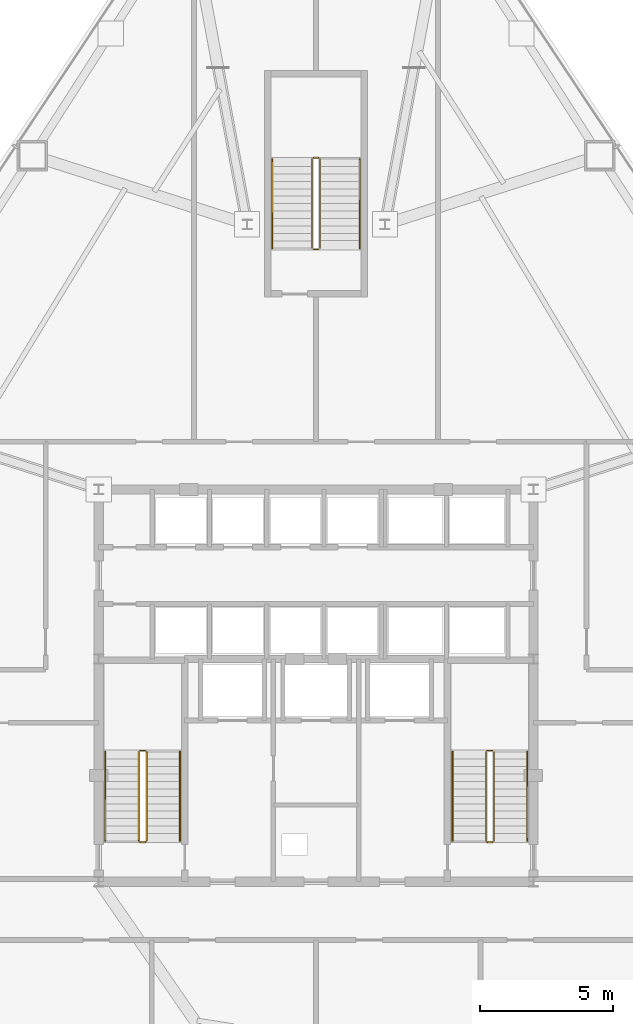
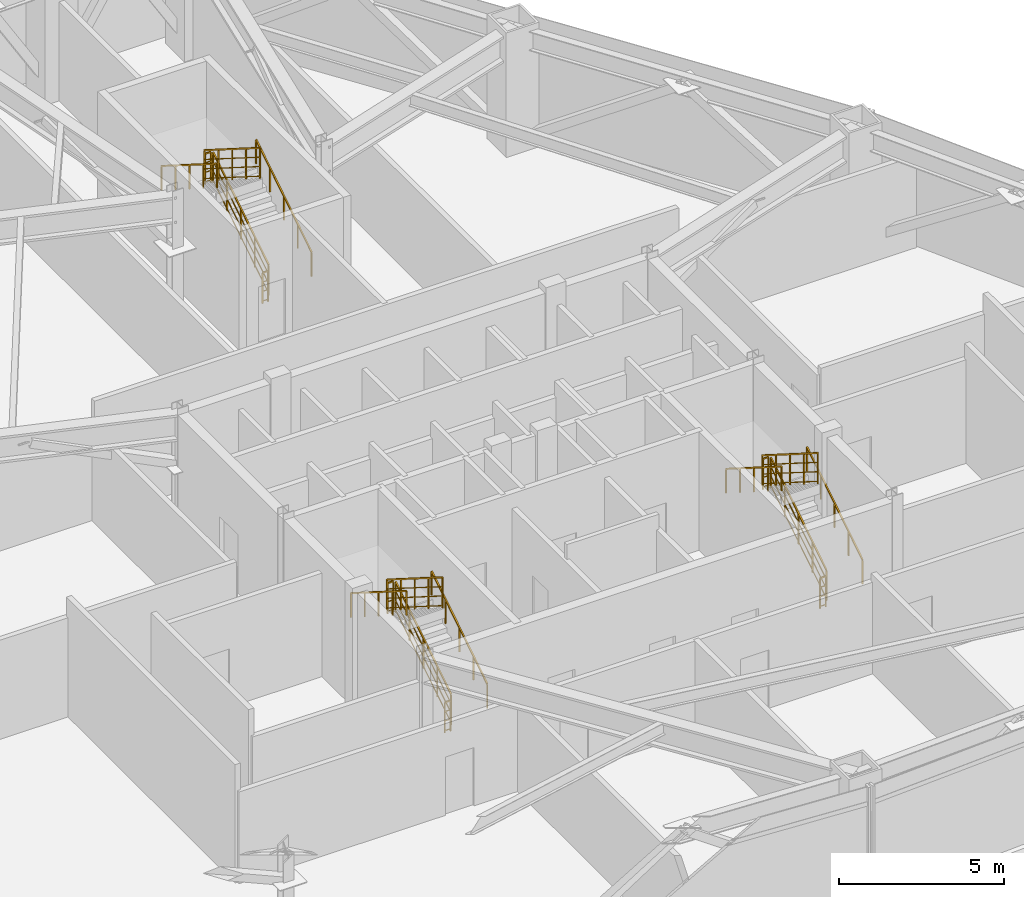
# One storey, part 12 of 12: 18 railings.
"""IFC4 building model written with IfcOpenShell, lengths in metres."""

from ifc_helpers import new_model, si_unit, direction, frame, origin, origin_2d, place, context, subcontext, project, spatial, rectangle, extrude, material, type_object, element, save


model = new_model("IFC4")

# Units and contexts
model_context = context("Model", 3, precision=1e-05, world=origin(), true_north=direction((0.0, 1.0)))
body_context = subcontext(model_context, "Body", "Model", "MODEL_VIEW")
ifc_project = project(units=[si_unit("LENGTHUNIT", "METRE"), si_unit("AREAUNIT", "SQUARE_METRE"), si_unit("VOLUMEUNIT", "CUBIC_METRE"), si_unit("PLANEANGLEUNIT", "RADIAN"), si_unit("MASSUNIT", "GRAM", prefix="KILO")], contexts=[model_context])

# Site, building, storey
site_placement = place(None, origin())
site = spatial("IfcSite", under=ifc_project, at=site_placement, CompositionType="ELEMENT")
building_placement = place(site_placement, origin())
building = spatial("IfcBuilding", under=site, at=building_placement, Name="Varakhsha Concourse Tower", CompositionType="ELEMENT")
storey_placement = place(building_placement, frame((0.0, 0.0, 68.800048828125)))
storey = spatial("IfcBuildingStorey", under=building, at=storey_placement, Name="L19", CompositionType="ELEMENT", Elevation=68.800048828125)

# Railings
ifc_material = material(Name="Brushed Austenitic Stainless Steel AISI 316", Category="steel")
railing_type_1 = type_object("IfcRailingType", Name="RL-STAIR-GUARD-1100", PredefinedType="GUARDRAIL", material=ifc_material)
railing_1_placement = place(storey_placement, frame((33.610107421875, 17.93994140625, 0.1767578125)))
element("IfcRailing", 1, at=railing_1_placement, inside=storey, type_object=railing_type_1, Name="L19 ST1 stair guard 1", PredefinedType="GUARDRAIL", context=body_context, shape_type="SweptSolid", body=[
    extrude(rectangle(XDim=0.048095703125, YDim=0.048095703125, at=origin_2d()), frame((0.0, 0.0, 1.1259765625), z_axis=(0.0, 0.845361898145, 0.534194029511), x_axis=(-1.0, 0.0, 0.0)), (0.0, 0.0, 1.0), 3.974853515625),
    extrude(rectangle(XDim=0.028076171875, YDim=0.028076171875, at=origin_2d()), frame((0.0, 0.0, 0.080078125), z_axis=(0.0, 0.845361898145, 0.534194029511), x_axis=(-1.0, 0.0, 0.0)), (0.0, 0.0, 1.0), 3.974853515625),
    extrude(rectangle(XDim=0.028076171875, YDim=0.028076171875, at=origin_2d()), frame((0.0, 0.0, 0.43701171875), z_axis=(0.0, 0.845361898145, 0.534194029511), x_axis=(-1.0, 0.0, 0.0)), (0.0, 0.0, 1.0), 3.974853515625),
    extrude(rectangle(XDim=0.028076171875, YDim=0.028076171875, at=origin_2d()), frame((0.0, 0.0, 0.781982421875), z_axis=(0.0, 0.845361898145, 0.534194029511), x_axis=(-1.0, 0.0, 0.0)), (0.0, 0.0, 1.0), 3.974853515625),
    extrude(rectangle(XDim=0.0419921875, YDim=0.0419921875, at=origin_2d()), origin(), (0.0, 0.0, 1.0), 1.101806640625),
    extrude(rectangle(XDim=0.0419921875, YDim=0.0419921875, at=origin_2d()), frame((0.0, 0.840087890625, 0.53076171875)), (0.0, 0.0, 1.0), 1.101806640625),
    extrude(rectangle(XDim=0.0419921875, YDim=0.0419921875, at=origin_2d()), frame((0.0, 1.68017578125, 1.0615234375)), (0.0, 0.0, 1.0), 1.101806640625),
    extrude(rectangle(XDim=0.0419921875, YDim=0.0419921875, at=origin_2d()), frame((0.0, 2.52001953125, 1.592529296875)), (0.0, 0.0, 1.0), 1.101806640625),
    extrude(rectangle(XDim=0.0419921875, YDim=0.0419921875, at=origin_2d()), frame((0.0, 3.360107421875, 2.123291015625)), (0.0, 0.0, 1.0), 1.101806640625),
])
railing_2_placement = place(storey_placement, frame((33.56005859375, 21.35009765625, 2.300048828125)))
element("IfcRailing", 2, at=railing_2_placement, inside=storey, type_object=railing_type_1, Name="L19 ST1 stair guard 2", PredefinedType="GUARDRAIL", context=body_context, shape_type="SweptSolid", body=[
    extrude(rectangle(XDim=0.048095703125, YDim=0.048095703125, at=origin_2d()), frame((0.0, 0.0, 1.1259765625), z_axis=(-1.0, 0.0, 0.0), x_axis=(0.0, -1.0, 0.0)), (0.0, 0.0, 1.0), 0.199951171875),
    extrude(rectangle(XDim=0.028076171875, YDim=0.028076171875, at=origin_2d()), frame((0.0, 0.0, 0.080078125), z_axis=(-1.0, 0.0, 0.0), x_axis=(0.0, -1.0, 0.0)), (0.0, 0.0, 1.0), 0.199951171875),
    extrude(rectangle(XDim=0.028076171875, YDim=0.028076171875, at=origin_2d()), frame((0.0, 0.0, 0.43701171875), z_axis=(-1.0, 0.0, 0.0), x_axis=(0.0, -1.0, 0.0)), (0.0, 0.0, 1.0), 0.199951171875),
    extrude(rectangle(XDim=0.028076171875, YDim=0.028076171875, at=origin_2d()), frame((0.0, 0.0, 0.781982421875), z_axis=(-1.0, 0.0, 0.0), x_axis=(0.0, -1.0, 0.0)), (0.0, 0.0, 1.0), 0.199951171875),
    extrude(rectangle(XDim=0.0419921875, YDim=0.0419921875, at=origin_2d()), origin(), (0.0, 0.0, 1.0), 1.101806640625),
    extrude(rectangle(XDim=0.0419921875, YDim=0.0419921875, at=origin_2d()), frame((-0.199951171875, 0.0, 0.0)), (0.0, 0.0, 1.0), 1.101806640625),
])
railing_3_placement = place(storey_placement, frame((33.31005859375, 21.300048828125, 2.476806640625)))
element("IfcRailing", 3, at=railing_3_placement, inside=storey, type_object=railing_type_1, Name="L19 ST1 stair guard 3", PredefinedType="GUARDRAIL", context=body_context, shape_type="SweptSolid", body=[
    extrude(rectangle(XDim=0.048095703125, YDim=0.048095703125, at=origin_2d()), frame((0.0, 0.0, 1.1259765625), z_axis=(0.0, -0.845389635667, 0.534150132366), x_axis=(1.0, 0.0, 0.0)), (0.0, 0.0, 1.0), 3.974609375),
    extrude(rectangle(XDim=0.028076171875, YDim=0.028076171875, at=origin_2d()), frame((0.0, 0.0, 0.080078125), z_axis=(0.0, -0.845389635667, 0.534150132366), x_axis=(1.0, 0.0, 0.0)), (0.0, 0.0, 1.0), 3.974609375),
    extrude(rectangle(XDim=0.028076171875, YDim=0.028076171875, at=origin_2d()), frame((0.0, 0.0, 0.43701171875), z_axis=(0.0, -0.845389635667, 0.534150132366), x_axis=(1.0, 0.0, 0.0)), (0.0, 0.0, 1.0), 3.974609375),
    extrude(rectangle(XDim=0.028076171875, YDim=0.028076171875, at=origin_2d()), frame((0.0, 0.0, 0.781982421875), z_axis=(0.0, -0.845389635667, 0.534150132366), x_axis=(1.0, 0.0, 0.0)), (0.0, 0.0, 1.0), 3.974609375),
    extrude(rectangle(XDim=0.0419921875, YDim=0.0419921875, at=origin_2d()), origin(), (0.0, 0.0, 1.0), 1.101806640625),
    extrude(rectangle(XDim=0.0419921875, YDim=0.0419921875, at=origin_2d()), frame((0.0, -0.840087890625, 0.53076171875)), (0.0, 0.0, 1.0), 1.101806640625),
    extrude(rectangle(XDim=0.0419921875, YDim=0.0419921875, at=origin_2d()), frame((0.0, -1.68017578125, 1.0615234375)), (0.0, 0.0, 1.0), 1.101806640625),
    extrude(rectangle(XDim=0.0419921875, YDim=0.0419921875, at=origin_2d()), frame((0.0, -2.52001953125, 1.59228515625)), (0.0, 0.0, 1.0), 1.101806640625),
    extrude(rectangle(XDim=0.0419921875, YDim=0.0419921875, at=origin_2d()), frame((0.0, -3.360107421875, 2.123046875)), (0.0, 0.0, 1.0), 1.101806640625),
])
railing_4_placement = place(storey_placement, frame((33.56005859375, 17.889892578125, 0.0)))
element("IfcRailing", 4, at=railing_4_placement, inside=storey, type_object=railing_type_1, Name="L19 ST1 stair guard 4", PredefinedType="GUARDRAIL", context=body_context, shape_type="SweptSolid", body=[
    extrude(rectangle(XDim=0.048095703125, YDim=0.048095703125, at=origin_2d()), frame((0.0, 0.0, 1.1259765625), z_axis=(-1.0, 0.0, 0.0), x_axis=(0.0, -1.0, 0.0)), (0.0, 0.0, 1.0), 0.199951171875),
    extrude(rectangle(XDim=0.028076171875, YDim=0.028076171875, at=origin_2d()), frame((0.0, 0.0, 0.080078125), z_axis=(-1.0, 0.0, 0.0), x_axis=(0.0, -1.0, 0.0)), (0.0, 0.0, 1.0), 0.199951171875),
    extrude(rectangle(XDim=0.028076171875, YDim=0.028076171875, at=origin_2d()), frame((0.0, 0.0, 0.43701171875), z_axis=(-1.0, 0.0, 0.0), x_axis=(0.0, -1.0, 0.0)), (0.0, 0.0, 1.0), 0.199951171875),
    extrude(rectangle(XDim=0.028076171875, YDim=0.028076171875, at=origin_2d()), frame((0.0, 0.0, 0.781982421875), z_axis=(-1.0, 0.0, 0.0), x_axis=(0.0, -1.0, 0.0)), (0.0, 0.0, 1.0), 0.199951171875),
    extrude(rectangle(XDim=0.0419921875, YDim=0.0419921875, at=origin_2d()), origin(), (0.0, 0.0, 1.0), 1.101806640625),
    extrude(rectangle(XDim=0.0419921875, YDim=0.0419921875, at=origin_2d()), frame((-0.199951171875, 0.0, 0.0)), (0.0, 0.0, 1.0), 1.101806640625),
])
railing_5_placement = place(storey_placement, frame((46.7099609375, 17.93994140625, 0.1767578125)))
element("IfcRailing", 5, at=railing_5_placement, inside=storey, type_object=railing_type_1, Name="L19 ST2 stair guard 1", PredefinedType="GUARDRAIL", context=body_context, shape_type="SweptSolid", body=[
    extrude(rectangle(XDim=0.048095703125, YDim=0.048095703125, at=origin_2d()), frame((0.0, 0.0, 1.1259765625), z_axis=(0.0, 0.845361898145, 0.534194029511), x_axis=(-1.0, 0.0, 0.0)), (0.0, 0.0, 1.0), 3.974853515625),
    extrude(rectangle(XDim=0.028076171875, YDim=0.028076171875, at=origin_2d()), frame((0.0, 0.0, 0.080078125), z_axis=(0.0, 0.845361898145, 0.534194029511), x_axis=(-1.0, 0.0, 0.0)), (0.0, 0.0, 1.0), 3.974853515625),
    extrude(rectangle(XDim=0.028076171875, YDim=0.028076171875, at=origin_2d()), frame((0.0, 0.0, 0.43701171875), z_axis=(0.0, 0.845361898145, 0.534194029511), x_axis=(-1.0, 0.0, 0.0)), (0.0, 0.0, 1.0), 3.974853515625),
    extrude(rectangle(XDim=0.028076171875, YDim=0.028076171875, at=origin_2d()), frame((0.0, 0.0, 0.781982421875), z_axis=(0.0, 0.845361898145, 0.534194029511), x_axis=(-1.0, 0.0, 0.0)), (0.0, 0.0, 1.0), 3.974853515625),
    extrude(rectangle(XDim=0.0419921875, YDim=0.0419921875, at=origin_2d()), origin(), (0.0, 0.0, 1.0), 1.101806640625),
    extrude(rectangle(XDim=0.0419921875, YDim=0.0419921875, at=origin_2d()), frame((0.0, 0.840087890625, 0.53076171875)), (0.0, 0.0, 1.0), 1.101806640625),
    extrude(rectangle(XDim=0.0419921875, YDim=0.0419921875, at=origin_2d()), frame((0.0, 1.68017578125, 1.0615234375)), (0.0, 0.0, 1.0), 1.101806640625),
    extrude(rectangle(XDim=0.0419921875, YDim=0.0419921875, at=origin_2d()), frame((0.0, 2.52001953125, 1.592529296875)), (0.0, 0.0, 1.0), 1.101806640625),
    extrude(rectangle(XDim=0.0419921875, YDim=0.0419921875, at=origin_2d()), frame((0.0, 3.360107421875, 2.123291015625)), (0.0, 0.0, 1.0), 1.101806640625),
])
railing_6_placement = place(storey_placement, frame((46.659912109375, 21.35009765625, 2.300048828125)))
element("IfcRailing", 6, at=railing_6_placement, inside=storey, type_object=railing_type_1, Name="L19 ST2 stair guard 2", PredefinedType="GUARDRAIL", context=body_context, shape_type="SweptSolid", body=[
    extrude(rectangle(XDim=0.048095703125, YDim=0.048095703125, at=origin_2d()), frame((0.0, 0.0, 1.1259765625), z_axis=(-1.0, 0.0, 0.0), x_axis=(0.0, -1.0, 0.0)), (0.0, 0.0, 1.0), 0.199951171875),
    extrude(rectangle(XDim=0.028076171875, YDim=0.028076171875, at=origin_2d()), frame((0.0, 0.0, 0.080078125), z_axis=(-1.0, 0.0, 0.0), x_axis=(0.0, -1.0, 0.0)), (0.0, 0.0, 1.0), 0.199951171875),
    extrude(rectangle(XDim=0.028076171875, YDim=0.028076171875, at=origin_2d()), frame((0.0, 0.0, 0.43701171875), z_axis=(-1.0, 0.0, 0.0), x_axis=(0.0, -1.0, 0.0)), (0.0, 0.0, 1.0), 0.199951171875),
    extrude(rectangle(XDim=0.028076171875, YDim=0.028076171875, at=origin_2d()), frame((0.0, 0.0, 0.781982421875), z_axis=(-1.0, 0.0, 0.0), x_axis=(0.0, -1.0, 0.0)), (0.0, 0.0, 1.0), 0.199951171875),
    extrude(rectangle(XDim=0.0419921875, YDim=0.0419921875, at=origin_2d()), origin(), (0.0, 0.0, 1.0), 1.101806640625),
    extrude(rectangle(XDim=0.0419921875, YDim=0.0419921875, at=origin_2d()), frame((-0.199951171875, 0.0, 0.0)), (0.0, 0.0, 1.0), 1.101806640625),
])
railing_7_placement = place(storey_placement, frame((46.409912109375, 21.300048828125, 2.476806640625)))
element("IfcRailing", 7, at=railing_7_placement, inside=storey, type_object=railing_type_1, Name="L19 ST2 stair guard 3", PredefinedType="GUARDRAIL", context=body_context, shape_type="SweptSolid", body=[
    extrude(rectangle(XDim=0.048095703125, YDim=0.048095703125, at=origin_2d()), frame((0.0, 0.0, 1.1259765625), z_axis=(0.0, -0.845389635667, 0.534150132366), x_axis=(1.0, 0.0, 0.0)), (0.0, 0.0, 1.0), 3.974609375),
    extrude(rectangle(XDim=0.028076171875, YDim=0.028076171875, at=origin_2d()), frame((0.0, 0.0, 0.080078125), z_axis=(0.0, -0.845389635667, 0.534150132366), x_axis=(1.0, 0.0, 0.0)), (0.0, 0.0, 1.0), 3.974609375),
    extrude(rectangle(XDim=0.028076171875, YDim=0.028076171875, at=origin_2d()), frame((0.0, 0.0, 0.43701171875), z_axis=(0.0, -0.845389635667, 0.534150132366), x_axis=(1.0, 0.0, 0.0)), (0.0, 0.0, 1.0), 3.974609375),
    extrude(rectangle(XDim=0.028076171875, YDim=0.028076171875, at=origin_2d()), frame((0.0, 0.0, 0.781982421875), z_axis=(0.0, -0.845389635667, 0.534150132366), x_axis=(1.0, 0.0, 0.0)), (0.0, 0.0, 1.0), 3.974609375),
    extrude(rectangle(XDim=0.0419921875, YDim=0.0419921875, at=origin_2d()), origin(), (0.0, 0.0, 1.0), 1.101806640625),
    extrude(rectangle(XDim=0.0419921875, YDim=0.0419921875, at=origin_2d()), frame((0.0, -0.840087890625, 0.53076171875)), (0.0, 0.0, 1.0), 1.101806640625),
    extrude(rectangle(XDim=0.0419921875, YDim=0.0419921875, at=origin_2d()), frame((0.0, -1.68017578125, 1.0615234375)), (0.0, 0.0, 1.0), 1.101806640625),
    extrude(rectangle(XDim=0.0419921875, YDim=0.0419921875, at=origin_2d()), frame((0.0, -2.52001953125, 1.59228515625)), (0.0, 0.0, 1.0), 1.101806640625),
    extrude(rectangle(XDim=0.0419921875, YDim=0.0419921875, at=origin_2d()), frame((0.0, -3.360107421875, 2.123046875)), (0.0, 0.0, 1.0), 1.101806640625),
])
railing_8_placement = place(storey_placement, frame((46.659912109375, 17.889892578125, 0.0)))
element("IfcRailing", 8, at=railing_8_placement, inside=storey, type_object=railing_type_1, Name="L19 ST2 stair guard 4", PredefinedType="GUARDRAIL", context=body_context, shape_type="SweptSolid", body=[
    extrude(rectangle(XDim=0.048095703125, YDim=0.048095703125, at=origin_2d()), frame((0.0, 0.0, 1.1259765625), z_axis=(-1.0, 0.0, 0.0), x_axis=(0.0, -1.0, 0.0)), (0.0, 0.0, 1.0), 0.199951171875),
    extrude(rectangle(XDim=0.028076171875, YDim=0.028076171875, at=origin_2d()), frame((0.0, 0.0, 0.080078125), z_axis=(-1.0, 0.0, 0.0), x_axis=(0.0, -1.0, 0.0)), (0.0, 0.0, 1.0), 0.199951171875),
    extrude(rectangle(XDim=0.028076171875, YDim=0.028076171875, at=origin_2d()), frame((0.0, 0.0, 0.43701171875), z_axis=(-1.0, 0.0, 0.0), x_axis=(0.0, -1.0, 0.0)), (0.0, 0.0, 1.0), 0.199951171875),
    extrude(rectangle(XDim=0.028076171875, YDim=0.028076171875, at=origin_2d()), frame((0.0, 0.0, 0.781982421875), z_axis=(-1.0, 0.0, 0.0), x_axis=(0.0, -1.0, 0.0)), (0.0, 0.0, 1.0), 0.199951171875),
    extrude(rectangle(XDim=0.0419921875, YDim=0.0419921875, at=origin_2d()), origin(), (0.0, 0.0, 1.0), 1.101806640625),
    extrude(rectangle(XDim=0.0419921875, YDim=0.0419921875, at=origin_2d()), frame((-0.199951171875, 0.0, 0.0)), (0.0, 0.0, 1.0), 1.101806640625),
])
railing_9_placement = place(storey_placement, frame((40.14990234375, 40.300048828125, 0.1767578125)))
element("IfcRailing", 9, at=railing_9_placement, inside=storey, type_object=railing_type_1, Name="L19 ST5 stair guard 1", PredefinedType="GUARDRAIL", context=body_context, shape_type="SweptSolid", body=[
    extrude(rectangle(XDim=0.048095703125, YDim=0.048095703125, at=origin_2d()), frame((0.0, 0.0, 1.1259765625), z_axis=(0.0, 0.845344368971, 0.534221768416), x_axis=(-1.0, 0.0, 0.0)), (0.0, 0.0, 1.0), 3.974609375),
    extrude(rectangle(XDim=0.028076171875, YDim=0.028076171875, at=origin_2d()), frame((0.0, 0.0, 0.080078125), z_axis=(0.0, 0.845344368971, 0.534221768416), x_axis=(-1.0, 0.0, 0.0)), (0.0, 0.0, 1.0), 3.974609375),
    extrude(rectangle(XDim=0.028076171875, YDim=0.028076171875, at=origin_2d()), frame((0.0, 0.0, 0.43701171875), z_axis=(0.0, 0.845344368971, 0.534221768416), x_axis=(-1.0, 0.0, 0.0)), (0.0, 0.0, 1.0), 3.974609375),
    extrude(rectangle(XDim=0.028076171875, YDim=0.028076171875, at=origin_2d()), frame((0.0, 0.0, 0.781982421875), z_axis=(0.0, 0.845344368971, 0.534221768416), x_axis=(-1.0, 0.0, 0.0)), (0.0, 0.0, 1.0), 3.974609375),
    extrude(rectangle(XDim=0.0419921875, YDim=0.0419921875, at=origin_2d()), origin(), (0.0, 0.0, 1.0), 1.101806640625),
    extrude(rectangle(XDim=0.0419921875, YDim=0.0419921875, at=origin_2d()), frame((0.0, 0.83984375, 0.53076171875)), (0.0, 0.0, 1.0), 1.101806640625),
    extrude(rectangle(XDim=0.0419921875, YDim=0.0419921875, at=origin_2d()), frame((0.0, 1.679931640625, 1.0615234375)), (0.0, 0.0, 1.0), 1.101806640625),
    extrude(rectangle(XDim=0.0419921875, YDim=0.0419921875, at=origin_2d()), frame((0.0, 2.52001953125, 1.592529296875)), (0.0, 0.0, 1.0), 1.101806640625),
    extrude(rectangle(XDim=0.0419921875, YDim=0.0419921875, at=origin_2d()), frame((0.0, 3.35986328125, 2.123291015625)), (0.0, 0.0, 1.0), 1.101806640625),
])
railing_10_placement = place(storey_placement, frame((40.10009765625, 43.7099609375, 2.300048828125)))
element("IfcRailing", 10, at=railing_10_placement, inside=storey, type_object=railing_type_1, Name="L19 ST5 stair guard 2", PredefinedType="GUARDRAIL", context=body_context, shape_type="SweptSolid", body=[
    extrude(rectangle(XDim=0.048095703125, YDim=0.048095703125, at=origin_2d()), frame((0.0, 0.0, 1.1259765625), z_axis=(-1.0, 0.0, 0.0), x_axis=(0.0, -1.0, 0.0)), (0.0, 0.0, 1.0), 0.2001953125),
    extrude(rectangle(XDim=0.028076171875, YDim=0.028076171875, at=origin_2d()), frame((0.0, 0.0, 0.080078125), z_axis=(-1.0, 0.0, 0.0), x_axis=(0.0, -1.0, 0.0)), (0.0, 0.0, 1.0), 0.2001953125),
    extrude(rectangle(XDim=0.028076171875, YDim=0.028076171875, at=origin_2d()), frame((0.0, 0.0, 0.43701171875), z_axis=(-1.0, 0.0, 0.0), x_axis=(0.0, -1.0, 0.0)), (0.0, 0.0, 1.0), 0.2001953125),
    extrude(rectangle(XDim=0.028076171875, YDim=0.028076171875, at=origin_2d()), frame((0.0, 0.0, 0.781982421875), z_axis=(-1.0, 0.0, 0.0), x_axis=(0.0, -1.0, 0.0)), (0.0, 0.0, 1.0), 0.2001953125),
    extrude(rectangle(XDim=0.0419921875, YDim=0.0419921875, at=origin_2d()), origin(), (0.0, 0.0, 1.0), 1.101806640625),
    extrude(rectangle(XDim=0.0419921875, YDim=0.0419921875, at=origin_2d()), frame((-0.2001953125, 0.0, 0.0)), (0.0, 0.0, 1.0), 1.101806640625),
])
railing_11_placement = place(storey_placement, frame((39.85009765625, 43.659912109375, 2.476806640625)))
element("IfcRailing", 11, at=railing_11_placement, inside=storey, type_object=railing_type_1, Name="L19 ST5 stair guard 3", PredefinedType="GUARDRAIL", context=body_context, shape_type="SweptSolid", body=[
    extrude(rectangle(XDim=0.048095703125, YDim=0.048095703125, at=origin_2d()), frame((0.0, 0.0, 1.1259765625), z_axis=(0.0, -0.845372108799, 0.534177870812), x_axis=(1.0, 0.0, 0.0)), (0.0, 0.0, 1.0), 3.974365234375),
    extrude(rectangle(XDim=0.028076171875, YDim=0.028076171875, at=origin_2d()), frame((0.0, 0.0, 0.080078125), z_axis=(0.0, -0.845372108799, 0.534177870812), x_axis=(1.0, 0.0, 0.0)), (0.0, 0.0, 1.0), 3.974365234375),
    extrude(rectangle(XDim=0.028076171875, YDim=0.028076171875, at=origin_2d()), frame((0.0, 0.0, 0.43701171875), z_axis=(0.0, -0.845372108799, 0.534177870812), x_axis=(1.0, 0.0, 0.0)), (0.0, 0.0, 1.0), 3.974365234375),
    extrude(rectangle(XDim=0.028076171875, YDim=0.028076171875, at=origin_2d()), frame((0.0, 0.0, 0.781982421875), z_axis=(0.0, -0.845372108799, 0.534177870812), x_axis=(1.0, 0.0, 0.0)), (0.0, 0.0, 1.0), 3.974365234375),
    extrude(rectangle(XDim=0.0419921875, YDim=0.0419921875, at=origin_2d()), origin(), (0.0, 0.0, 1.0), 1.101806640625),
    extrude(rectangle(XDim=0.0419921875, YDim=0.0419921875, at=origin_2d()), frame((0.0, -0.83984375, 0.53076171875)), (0.0, 0.0, 1.0), 1.101806640625),
    extrude(rectangle(XDim=0.0419921875, YDim=0.0419921875, at=origin_2d()), frame((0.0, -1.679931640625, 1.0615234375)), (0.0, 0.0, 1.0), 1.101806640625),
    extrude(rectangle(XDim=0.0419921875, YDim=0.0419921875, at=origin_2d()), frame((0.0, -2.52001953125, 1.59228515625)), (0.0, 0.0, 1.0), 1.101806640625),
    extrude(rectangle(XDim=0.0419921875, YDim=0.0419921875, at=origin_2d()), frame((0.0, -3.35986328125, 2.123046875)), (0.0, 0.0, 1.0), 1.101806640625),
])
railing_12_placement = place(storey_placement, frame((40.10009765625, 40.25, 0.0)))
element("IfcRailing", 12, at=railing_12_placement, inside=storey, type_object=railing_type_1, Name="L19 ST5 stair guard 4", PredefinedType="GUARDRAIL", context=body_context, shape_type="SweptSolid", body=[
    extrude(rectangle(XDim=0.048095703125, YDim=0.048095703125, at=origin_2d()), frame((0.0, 0.0, 1.1259765625), z_axis=(-1.0, 0.0, 0.0), x_axis=(0.0, -1.0, 0.0)), (0.0, 0.0, 1.0), 0.2001953125),
    extrude(rectangle(XDim=0.028076171875, YDim=0.028076171875, at=origin_2d()), frame((0.0, 0.0, 0.080078125), z_axis=(-1.0, 0.0, 0.0), x_axis=(0.0, -1.0, 0.0)), (0.0, 0.0, 1.0), 0.2001953125),
    extrude(rectangle(XDim=0.028076171875, YDim=0.028076171875, at=origin_2d()), frame((0.0, 0.0, 0.43701171875), z_axis=(-1.0, 0.0, 0.0), x_axis=(0.0, -1.0, 0.0)), (0.0, 0.0, 1.0), 0.2001953125),
    extrude(rectangle(XDim=0.028076171875, YDim=0.028076171875, at=origin_2d()), frame((0.0, 0.0, 0.781982421875), z_axis=(-1.0, 0.0, 0.0), x_axis=(0.0, -1.0, 0.0)), (0.0, 0.0, 1.0), 0.2001953125),
    extrude(rectangle(XDim=0.0419921875, YDim=0.0419921875, at=origin_2d()), origin(), (0.0, 0.0, 1.0), 1.101806640625),
    extrude(rectangle(XDim=0.0419921875, YDim=0.0419921875, at=origin_2d()), frame((-0.2001953125, 0.0, 0.0)), (0.0, 0.0, 1.0), 1.101806640625),
])
railing_type_2 = type_object("IfcRailingType", Name="RL-STAIR-RAIL-915", PredefinedType="HANDRAIL", material=ifc_material)
railing_13_placement = place(storey_placement, frame((34.8701171875, 17.93994140625, 0.353759765625)))
element("IfcRailing", 13, at=railing_13_placement, inside=storey, type_object=railing_type_2, Name="L19 ST1 stair handrail 1", PredefinedType="HANDRAIL", context=body_context, shape_type="SweptSolid", body=[
    extrude(rectangle(XDim=0.048095703125, YDim=0.048095703125, at=origin_2d()), frame((0.0, 0.0, 0.89111328125), z_axis=(0.0, 0.845389635667, 0.534150132366), x_axis=(-1.0, 0.0, 0.0)), (0.0, 0.0, 1.0), 3.974609375),
    extrude(rectangle(XDim=0.0419921875, YDim=0.0419921875, at=origin_2d()), origin(), (0.0, 0.0, 1.0), 0.866943359375),
    extrude(rectangle(XDim=0.0419921875, YDim=0.0419921875, at=origin_2d()), frame((0.0, 0.840087890625, 0.53076171875)), (0.0, 0.0, 1.0), 0.866943359375),
    extrude(rectangle(XDim=0.0419921875, YDim=0.0419921875, at=origin_2d()), frame((0.0, 1.68017578125, 1.0615234375)), (0.0, 0.0, 1.0), 0.866943359375),
    extrude(rectangle(XDim=0.0419921875, YDim=0.0419921875, at=origin_2d()), frame((0.0, 2.52001953125, 1.59228515625)), (0.0, 0.0, 1.0), 0.866943359375),
    extrude(rectangle(XDim=0.0419921875, YDim=0.0419921875, at=origin_2d()), frame((0.0, 3.360107421875, 2.123046875)), (0.0, 0.0, 1.0), 0.866943359375),
])
railing_14_placement = place(storey_placement, frame((32.050048828125, 21.300048828125, 2.65380859375)))
element("IfcRailing", 14, at=railing_14_placement, inside=storey, type_object=railing_type_2, Name="L19 ST1 stair handrail 2", PredefinedType="HANDRAIL", context=body_context, shape_type="SweptSolid", body=[
    extrude(rectangle(XDim=0.048095703125, YDim=0.048095703125, at=origin_2d()), frame((0.0, 0.0, 0.89111328125), z_axis=(0.0, -0.845389635667, 0.534150132366), x_axis=(1.0, 0.0, 0.0)), (0.0, 0.0, 1.0), 3.974609375),
    extrude(rectangle(XDim=0.0419921875, YDim=0.0419921875, at=origin_2d()), origin(), (0.0, 0.0, 1.0), 0.866943359375),
    extrude(rectangle(XDim=0.0419921875, YDim=0.0419921875, at=origin_2d()), frame((0.0, -0.840087890625, 0.53076171875)), (0.0, 0.0, 1.0), 0.866943359375),
    extrude(rectangle(XDim=0.0419921875, YDim=0.0419921875, at=origin_2d()), frame((0.0, -1.68017578125, 1.0615234375)), (0.0, 0.0, 1.0), 0.866943359375),
    extrude(rectangle(XDim=0.0419921875, YDim=0.0419921875, at=origin_2d()), frame((0.0, -2.52001953125, 1.59228515625)), (0.0, 0.0, 1.0), 0.866943359375),
    extrude(rectangle(XDim=0.0419921875, YDim=0.0419921875, at=origin_2d()), frame((0.0, -3.360107421875, 2.123046875)), (0.0, 0.0, 1.0), 0.866943359375),
])
railing_15_placement = place(storey_placement, frame((47.969970703125, 17.93994140625, 0.353759765625)))
element("IfcRailing", 15, at=railing_15_placement, inside=storey, type_object=railing_type_2, Name="L19 ST2 stair handrail 1", PredefinedType="HANDRAIL", context=body_context, shape_type="SweptSolid", body=[
    extrude(rectangle(XDim=0.048095703125, YDim=0.048095703125, at=origin_2d()), frame((0.0, 0.0, 0.89111328125), z_axis=(0.0, 0.845389635667, 0.534150132366), x_axis=(-1.0, 0.0, 0.0)), (0.0, 0.0, 1.0), 3.974609375),
    extrude(rectangle(XDim=0.0419921875, YDim=0.0419921875, at=origin_2d()), origin(), (0.0, 0.0, 1.0), 0.866943359375),
    extrude(rectangle(XDim=0.0419921875, YDim=0.0419921875, at=origin_2d()), frame((0.0, 0.840087890625, 0.53076171875)), (0.0, 0.0, 1.0), 0.866943359375),
    extrude(rectangle(XDim=0.0419921875, YDim=0.0419921875, at=origin_2d()), frame((0.0, 1.68017578125, 1.0615234375)), (0.0, 0.0, 1.0), 0.866943359375),
    extrude(rectangle(XDim=0.0419921875, YDim=0.0419921875, at=origin_2d()), frame((0.0, 2.52001953125, 1.59228515625)), (0.0, 0.0, 1.0), 0.866943359375),
    extrude(rectangle(XDim=0.0419921875, YDim=0.0419921875, at=origin_2d()), frame((0.0, 3.360107421875, 2.123046875)), (0.0, 0.0, 1.0), 0.866943359375),
])
railing_16_placement = place(storey_placement, frame((45.14990234375, 21.300048828125, 2.65380859375)))
element("IfcRailing", 16, at=railing_16_placement, inside=storey, type_object=railing_type_2, Name="L19 ST2 stair handrail 2", PredefinedType="HANDRAIL", context=body_context, shape_type="SweptSolid", body=[
    extrude(rectangle(XDim=0.048095703125, YDim=0.048095703125, at=origin_2d()), frame((0.0, 0.0, 0.89111328125), z_axis=(0.0, -0.845389635667, 0.534150132366), x_axis=(1.0, 0.0, 0.0)), (0.0, 0.0, 1.0), 3.974609375),
    extrude(rectangle(XDim=0.0419921875, YDim=0.0419921875, at=origin_2d()), origin(), (0.0, 0.0, 1.0), 0.866943359375),
    extrude(rectangle(XDim=0.0419921875, YDim=0.0419921875, at=origin_2d()), frame((0.0, -0.840087890625, 0.53076171875)), (0.0, 0.0, 1.0), 0.866943359375),
    extrude(rectangle(XDim=0.0419921875, YDim=0.0419921875, at=origin_2d()), frame((0.0, -1.68017578125, 1.0615234375)), (0.0, 0.0, 1.0), 0.866943359375),
    extrude(rectangle(XDim=0.0419921875, YDim=0.0419921875, at=origin_2d()), frame((0.0, -2.52001953125, 1.59228515625)), (0.0, 0.0, 1.0), 0.866943359375),
    extrude(rectangle(XDim=0.0419921875, YDim=0.0419921875, at=origin_2d()), frame((0.0, -3.360107421875, 2.123046875)), (0.0, 0.0, 1.0), 0.866943359375),
])
railing_17_placement = place(storey_placement, frame((41.64990234375, 40.300048828125, 0.353759765625)))
element("IfcRailing", 17, at=railing_17_placement, inside=storey, type_object=railing_type_2, Name="L19 ST5 stair handrail 1", PredefinedType="HANDRAIL", context=body_context, shape_type="SweptSolid", body=[
    extrude(rectangle(XDim=0.048095703125, YDim=0.048095703125, at=origin_2d()), frame((0.0, 0.0, 0.89111328125), z_axis=(0.0, 0.845372108799, 0.534177870812), x_axis=(-1.0, 0.0, 0.0)), (0.0, 0.0, 1.0), 3.974365234375),
    extrude(rectangle(XDim=0.0419921875, YDim=0.0419921875, at=origin_2d()), origin(), (0.0, 0.0, 1.0), 0.866943359375),
    extrude(rectangle(XDim=0.0419921875, YDim=0.0419921875, at=origin_2d()), frame((0.0, 0.83984375, 0.53076171875)), (0.0, 0.0, 1.0), 0.866943359375),
    extrude(rectangle(XDim=0.0419921875, YDim=0.0419921875, at=origin_2d()), frame((0.0, 1.679931640625, 1.0615234375)), (0.0, 0.0, 1.0), 0.866943359375),
    extrude(rectangle(XDim=0.0419921875, YDim=0.0419921875, at=origin_2d()), frame((0.0, 2.52001953125, 1.59228515625)), (0.0, 0.0, 1.0), 0.866943359375),
    extrude(rectangle(XDim=0.0419921875, YDim=0.0419921875, at=origin_2d()), frame((0.0, 3.35986328125, 2.123046875)), (0.0, 0.0, 1.0), 0.866943359375),
])
railing_18_placement = place(storey_placement, frame((38.35009765625, 43.659912109375, 2.65380859375)))
element("IfcRailing", 18, at=railing_18_placement, inside=storey, type_object=railing_type_2, Name="L19 ST5 stair handrail 2", PredefinedType="HANDRAIL", context=body_context, shape_type="SweptSolid", body=[
    extrude(rectangle(XDim=0.048095703125, YDim=0.048095703125, at=origin_2d()), frame((0.0, 0.0, 0.89111328125), z_axis=(0.0, -0.845372108799, 0.534177870812), x_axis=(1.0, 0.0, 0.0)), (0.0, 0.0, 1.0), 3.974365234375),
    extrude(rectangle(XDim=0.0419921875, YDim=0.0419921875, at=origin_2d()), origin(), (0.0, 0.0, 1.0), 0.866943359375),
    extrude(rectangle(XDim=0.0419921875, YDim=0.0419921875, at=origin_2d()), frame((0.0, -0.83984375, 0.53076171875)), (0.0, 0.0, 1.0), 0.866943359375),
    extrude(rectangle(XDim=0.0419921875, YDim=0.0419921875, at=origin_2d()), frame((0.0, -1.679931640625, 1.0615234375)), (0.0, 0.0, 1.0), 0.866943359375),
    extrude(rectangle(XDim=0.0419921875, YDim=0.0419921875, at=origin_2d()), frame((0.0, -2.52001953125, 1.59228515625)), (0.0, 0.0, 1.0), 0.866943359375),
    extrude(rectangle(XDim=0.0419921875, YDim=0.0419921875, at=origin_2d()), frame((0.0, -3.35986328125, 2.123046875)), (0.0, 0.0, 1.0), 0.866943359375),
])

save(model, "model.ifc")
